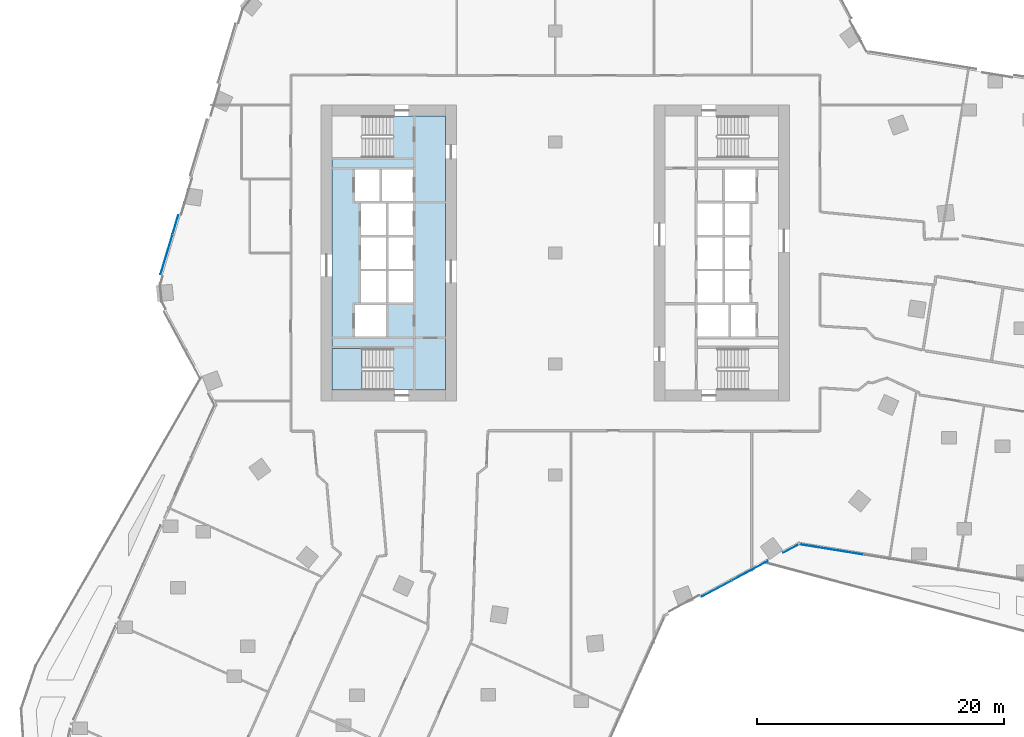
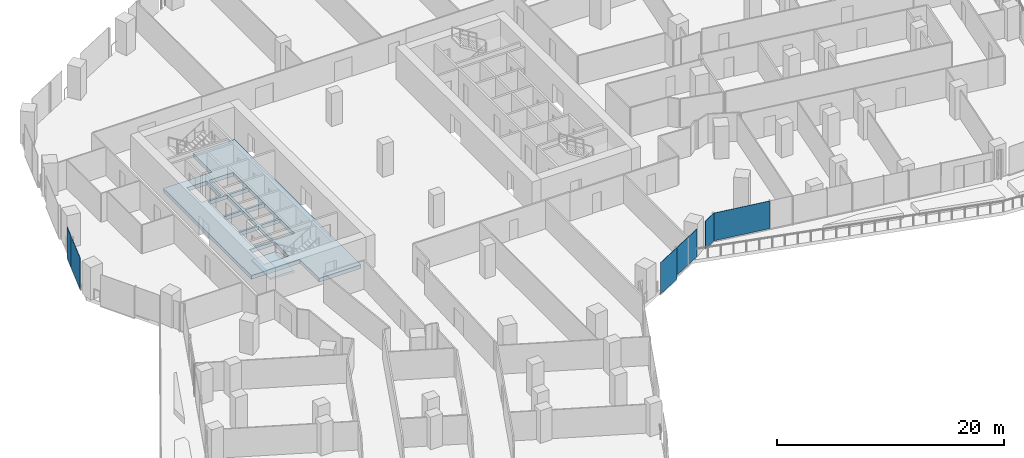
# One storey, part 18 of 32: 6 plates, 2 slabs, 4 elements without a shape of their own.
"""IFC4 building model written with IfcOpenShell, lengths in metres."""

from ifc_helpers import new_model, si_unit, direction, frame, origin, origin_2d, place, context, subcontext, project, spatial, polyline, rectangle, outline, extrude, material, layer, layer_set, type_object, element, aggregate, save


model = new_model("IFC4")

# Units and contexts
model_context = context("Model", 3, precision=1e-05, world=origin(), true_north=direction((0.0, 1.0)))
body_context = subcontext(model_context, "Body", "Model", "MODEL_VIEW")
ifc_project = project(units=[si_unit("LENGTHUNIT", "METRE"), si_unit("AREAUNIT", "SQUARE_METRE"), si_unit("VOLUMEUNIT", "CUBIC_METRE"), si_unit("PLANEANGLEUNIT", "RADIAN"), si_unit("MASSUNIT", "GRAM", prefix="KILO")], contexts=[model_context])

# Site, building, storey
site_placement = place(None, origin())
site = spatial("IfcSite", under=ifc_project, at=site_placement, CompositionType="ELEMENT")
building_placement = place(site_placement, origin())
building = spatial("IfcBuilding", under=site, at=building_placement, Name="Orlundy Tower", CompositionType="ELEMENT")
storey_placement = place(building_placement, frame((0.0, 0.0, 123.699951171875)))
storey = spatial("IfcBuildingStorey", under=building, at=storey_placement, Name="L31", CompositionType="ELEMENT", Elevation=123.699951171875)

# Curtain wall, plates
ifc_material_1 = material(Name="Aluminium bronze anodised", Category="aluminium")
curtain_wall_type = type_object("IfcCurtainWallType", Name="CW1 wall", PredefinedType="NOTDEFINED", material=ifc_material_1)
curtain_wall_1_placement = place(storey_placement, origin())
curtain_wall_1 = element("IfcCurtainWall", 1, at=curtain_wall_1_placement, inside=storey, type_object=curtain_wall_type, Name="CW1 run 02", PredefinedType="NOTDEFINED")
ifc_material_2 = material(Name="Tinted glass", Category="glass")
ifc_layer_1 = layer(ifc_material_2, 0.031982421875)
ifc_layer_set_1 = layer_set([ifc_layer_1], Name="CW1 glass panel 32")
plate_type = type_object("IfcPlateType", Name="CW1 glass panel 32", PredefinedType="CURTAIN_PANEL", material=ifc_layer_set_1)
plate_1_placement = place(storey_placement, frame((-31.522216796875, -0.116943359375, -0.27978515625), z_axis=(0.0, 0.0, 1.0), x_axis=(0.286816257107, 0.957985612971, 0.0)))
plate_1 = element("IfcPlate", 2, at=plate_1_placement, type_object=plate_type, Name="CW1 panel", PredefinedType="CURTAIN_PANEL", context=body_context, shape_type="SweptSolid", body=[
    extrude(rectangle(XDim=3.34375, YDim=0.031982421875, at=origin_2d()), origin(), (0.0, 0.0, 1.0), 3.3798828125),
])
plate_2_placement = place(storey_placement, frame((-30.802490234375, 2.286865234375, -0.27978515625), z_axis=(0.0, 0.0, 1.0), x_axis=(0.286816257107, 0.957985612971, 0.0)))
plate_2 = element("IfcPlate", 3, at=plate_2_placement, type_object=plate_type, Name="CW1 panel", PredefinedType="CURTAIN_PANEL", context=body_context, shape_type="SweptSolid", body=[
    extrude(rectangle(XDim=1.574951171875, YDim=0.031982421875, at=origin_2d()), origin(), (0.0, 0.0, 1.0), 3.3798828125),
])
aggregate(curtain_wall_1, [plate_1, plate_2])

# Curtain wall, plate
curtain_wall_2_placement = place(storey_placement, origin())
curtain_wall_2 = element("IfcCurtainWall", 4, at=curtain_wall_2_placement, inside=storey, type_object=curtain_wall_type, Name="CW1 run 016", PredefinedType="NOTDEFINED")
plate_3_placement = place(storey_placement, frame((22.3662109375, -24.033935546875, 0.1201171875), z_axis=(0.0, 0.0, 1.0), x_axis=(-0.987228432558, 0.159311085453, 0.0)))
plate_3 = element("IfcPlate", 5, at=plate_3_placement, type_object=plate_type, Name="CW1 panel", PredefinedType="CURTAIN_PANEL", context=body_context, shape_type="SweptSolid", body=[
    extrude(rectangle(XDim=5.276123046875, YDim=0.031982421875, at=origin_2d()), origin(), (0.0, 0.0, 1.0), 2.97998046875),
])
aggregate(curtain_wall_2, [plate_3])

# Curtain wall, plates
curtain_wall_3_placement = place(storey_placement, origin())
curtain_wall_3 = element("IfcCurtainWall", 6, at=curtain_wall_3_placement, inside=storey, type_object=curtain_wall_type, Name="CW1 run 017", PredefinedType="NOTDEFINED")
plate_4_placement = place(storey_placement, frame((19.1240234375, -23.957763671875, 0.1201171875), z_axis=(0.0, 0.0, 1.0), x_axis=(-0.88019320423, -0.474615553081, 0.0)))
plate_4 = element("IfcPlate", 7, at=plate_4_placement, type_object=plate_type, Name="CW1 panel", PredefinedType="CURTAIN_PANEL", context=body_context, shape_type="SweptSolid", body=[
    extrude(rectangle(XDim=1.44921875, YDim=0.031982421875, at=origin_2d()), origin(), (0.0, 0.0, 1.0), 2.97998046875),
])
plate_5_placement = place(storey_placement, frame((15.7822265625, -25.759765625, 0.1201171875), z_axis=(0.0, 0.0, 1.0), x_axis=(-0.88019320423, -0.474615553081, 0.0)))
plate_5 = element("IfcPlate", 8, at=plate_5_placement, type_object=plate_type, Name="CW1 panel", PredefinedType="CURTAIN_PANEL", context=body_context, shape_type="SweptSolid", body=[
    extrude(rectangle(XDim=3.28173828125, YDim=0.031982421875, at=origin_2d()), origin(), (0.0, 0.0, 1.0), 2.97998046875),
])
plate_6_placement = place(storey_placement, frame((13.087646484375, -27.212646484375, -0.27978515625), z_axis=(0.0, 0.0, 1.0), x_axis=(-0.88019320423, -0.474615553081, 0.0)))
plate_6 = element("IfcPlate", 9, at=plate_6_placement, type_object=plate_type, Name="CW1 panel", PredefinedType="CURTAIN_PANEL", context=body_context, shape_type="SweptSolid", body=[
    extrude(rectangle(XDim=2.740478515625, YDim=0.031982421875, at=origin_2d()), origin(), (0.0, 0.0, 1.0), 3.3798828125),
])
aggregate(curtain_wall_3, [plate_4, plate_5, plate_6])

# Slab
ifc_material_3 = material(Name="Concrete C50/60", Category="concrete")
ifc_layer_2 = layer(ifc_material_3, 0.409912109375)
ifc_layer_set_2 = layer_set([ifc_layer_2], Name="Core Floor Slab 410")
slab_type_1 = type_object("IfcSlabType", Name="Core Floor Slab 410", PredefinedType="FLOOR", material=ifc_layer_set_2)
slab_1_placement = place(storey_placement, frame((0.0, 0.0, -0.409912109375)))
element("IfcSlab", 10, at=slab_1_placement, inside=storey, type_object=slab_type_1, Name="Core floor W24", PredefinedType="FLOOR", context=body_context, shape_type="SweptSolid", body=[
    extrude(outline(polyline([(-13.14501953125, 7.75), (-13.14501953125, 11.10009765625), (-8.89990234375, 11.10009765625), (-8.89990234375, -11.10009765625), (-13.14501953125, -11.10009765625), (-13.14501953125, -7.75), (-18.10009765625, -7.75), (-18.10009765625, 7.75), (-13.14501953125, 7.75)]), holes=[polyline([(-16.239990234375, -6.77490234375), (-13.739990234375, -6.77490234375), (-13.739990234375, -4.22509765625), (-16.239990234375, -4.22509765625), (-16.239990234375, -6.77490234375)]), polyline([(-13.5400390625, -1.47509765625), (-13.5400390625, -4.02490234375), (-11.5400390625, -4.02490234375), (-11.5400390625, -1.47509765625), (-13.5400390625, -1.47509765625)]), polyline([(-13.739990234375, -1.47509765625), (-15.739990234375, -1.47509765625), (-15.739990234375, -4.02490234375), (-13.739990234375, -4.02490234375), (-13.739990234375, -1.47509765625)]), polyline([(-11.5400390625, -1.27490234375), (-11.5400390625, 1.27490234375), (-13.5400390625, 1.27490234375), (-13.5400390625, -1.27490234375), (-11.5400390625, -1.27490234375)]), polyline([(-15.739990234375, -1.27490234375), (-13.739990234375, -1.27490234375), (-13.739990234375, 1.27490234375), (-15.739990234375, 1.27490234375), (-15.739990234375, -1.27490234375)]), polyline([(-13.5400390625, 4.02490234375), (-13.5400390625, 1.47509765625), (-11.5400390625, 1.47509765625), (-11.5400390625, 4.02490234375), (-13.5400390625, 4.02490234375)]), polyline([(-13.739990234375, 4.02490234375), (-15.739990234375, 4.02490234375), (-15.739990234375, 1.47509765625), (-13.739990234375, 1.47509765625), (-13.739990234375, 4.02490234375)]), polyline([(-11.5400390625, 4.22509765625), (-11.5400390625, 6.77490234375), (-14.0400390625, 6.77490234375), (-14.0400390625, 4.22509765625), (-11.5400390625, 4.22509765625)]), polyline([(-16.239990234375, 4.22509765625), (-14.239990234375, 4.22509765625), (-14.239990234375, 6.77490234375), (-16.239990234375, 6.77490234375), (-16.239990234375, 4.22509765625)])]), origin(), (0.0, 0.0, 1.0), 0.409912109375),
])

# Stair, slab
ifc_material_4 = material(Name="Concrete C50/60", Category="concrete")
stair_type = type_object("IfcStairType", Name="Exit Stair 20 risers", PredefinedType="HALF_TURN_STAIR", material=ifc_material_4)
stair_placement = place(storey_placement, origin())
stair = element("IfcStair", 11, at=stair_placement, inside=storey, type_object=stair_type, Name="L31 Exit Stair ST-W2", PredefinedType="HALF_TURN_STAIR")
ifc_material_5 = material(Name="Concrete C50/60", Category="concrete")
ifc_layer_3 = layer(ifc_material_5, 0.199951171875)
ifc_layer_set_3 = layer_set([ifc_layer_3], Name="Exit Stair Landing")
slab_type_2 = type_object("IfcSlabType", Name="Exit Stair Landing", PredefinedType="LANDING", material=ifc_layer_set_3)
slab_2_placement = place(storey_placement, frame((0.0, 0.0, 1.550048828125)))
slab_2 = element("IfcSlab", 12, at=slab_2_placement, type_object=slab_type_2, Name="ST-W2 landing 1", PredefinedType="LANDING", context=body_context, shape_type="SweptSolid", body=[
    extrude(outline(polyline([(-15.659912109375, -7.75), (-18.10009765625, -7.75), (-18.10009765625, -11.10009765625), (-15.659912109375, -11.10009765625), (-15.659912109375, -7.75)])), origin(), (0.0, 0.0, 1.0), 0.199951171875),
])
aggregate(stair, [slab_2])

save(model, "model.ifc")
